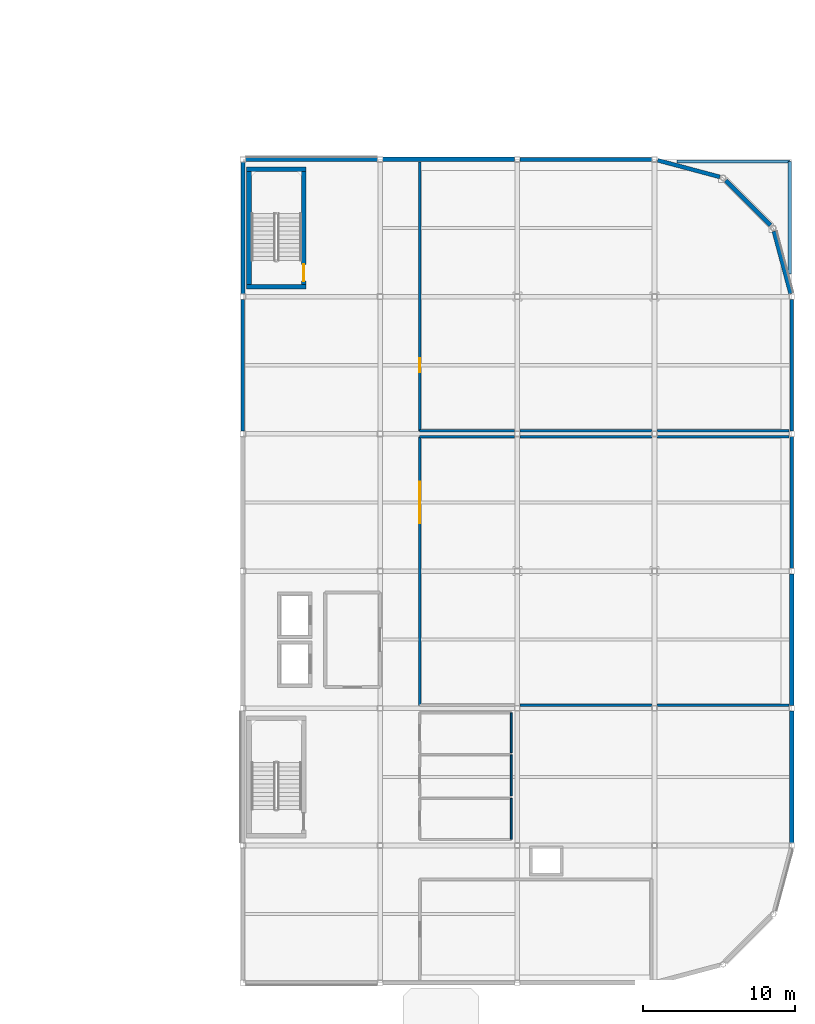
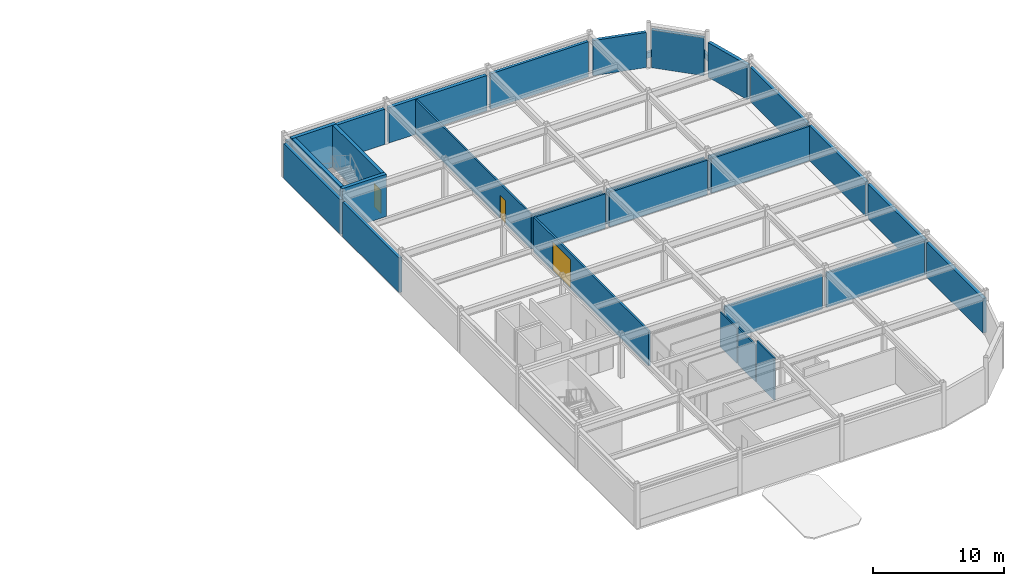
# One storey, part 32 of 40: 31 walls, 3 doors, 3 openings.
"""IFC4 building model written with IfcOpenShell, lengths in metres."""

from ifc_helpers import new_model, si_unit, direction, frame, frame_2d, origin, place, context, subcontext, project, spatial, rectangle, extrude, material, layer, layer_set, type_object, element, fill, save


model = new_model("IFC4")

# Units and contexts
model_context = context("Model", 3, precision=1e-05, world=origin(), true_north=direction((0.0, 1.0)))
body_context = subcontext(model_context, "Body", "Model", "MODEL_VIEW")
ifc_project = project(units=[si_unit("LENGTHUNIT", "METRE"), si_unit("AREAUNIT", "SQUARE_METRE"), si_unit("VOLUMEUNIT", "CUBIC_METRE"), si_unit("PLANEANGLEUNIT", "RADIAN"), si_unit("MASSUNIT", "GRAM", prefix="KILO")], contexts=[model_context])

# Site, building, storey
site_placement = place(None, origin())
site = spatial("IfcSite", under=ifc_project, at=site_placement, CompositionType="ELEMENT")
building_placement = place(site_placement, origin())
building = spatial("IfcBuilding", under=site, at=building_placement, Name="Suzunagisa Mobility Hub", CompositionType="ELEMENT")
storey_placement = place(building_placement, frame((0.0, 0.0, 21.89990234375)))
storey = spatial("IfcBuildingStorey", under=building, at=storey_placement, Name="L05", CompositionType="ELEMENT", Elevation=21.89990234375)

# Walls
ifc_material_1 = material(Name="Porcelain-Faced Insulated Concrete C30/37 Wall", Category="concrete")
ifc_layer_1 = layer(ifc_material_1, 0.260009765625)
ifc_layer_set_1 = layer_set([ifc_layer_1], Name="Porcelain-Faced Insulated Concrete C30/37 Wall")
wall_type_1 = type_object("IfcWallType", Name="Exterior Wall EW-03 260mm", PredefinedType="SOLIDWALL", material=ifc_layer_set_1)
wall_1_placement = place(storey_placement, frame((180.0, 71.175048828125, 0.0), z_axis=(0.0, 0.0, 1.0), x_axis=(0.0, 1.0, 0.0)))
element("IfcWall", 1, at=wall_1_placement, inside=storey, type_object=wall_type_1, Name="L05 Exterior Facade Wall EW-418", PredefinedType="SOLIDWALL", context=body_context, shape_type="SweptSolid", body=[
    extrude(rectangle(XDim=8.64990234375, YDim=0.260009765625, at=frame_2d((4.324951171875, 0.0))), origin(), (0.0, 0.0, 1.0), 3.239990234375),
])
wall_2_placement = place(storey_placement, frame((175.289794921875, 96.8505859375, 0.0), z_axis=(0.0, 0.0, 1.0), x_axis=(-0.965924589415, 0.258823661135, 0.0)))
element("IfcWall", 2, at=wall_2_placement, inside=storey, type_object=wall_type_1, Name="L05 Exterior Facade Wall EW-422", PredefinedType="SOLIDWALL", context=body_context, shape_type="SweptSolid", body=[
    extrude(rectangle(XDim=4.226806640625, YDim=0.260009765625, at=frame_2d((2.11328125, 0.0))), origin(), (0.0, 0.0, 1.0), 3.2900390625),
])
wall_3_placement = place(storey_placement, frame((144.0, 97.824951171875, 0.0), z_axis=(0.0, 0.0, 1.0), x_axis=(0.0, -1.0, 0.0)))
element("IfcWall", 3, at=wall_3_placement, inside=storey, type_object=wall_type_1, Name="L05 Exterior Facade Wall EW-426", PredefinedType="SOLIDWALL", context=body_context, shape_type="SweptSolid", body=[
    extrude(rectangle(XDim=8.64990234375, YDim=0.260009765625, at=frame_2d((4.324951171875, 0.0))), origin(), (0.0, 0.0, 1.0), 3.239990234375),
])
ifc_material_2 = material(Name="Lightweight Insulated Autoclaved Concrete C30/37 Wall", Category="concrete")
ifc_layer_2 = layer(ifc_material_2, 0.239990234375)
ifc_layer_set_2 = layer_set([ifc_layer_2], Name="Lightweight Insulated Autoclaved Concrete C30/37 Wall")
wall_type_2 = type_object("IfcWallType", Name="Exterior Wall EW-04 240mm", PredefinedType="SOLIDWALL", material=ifc_layer_set_2)
wall_4_placement = place(storey_placement, frame((180.0, 80.175048828125, 0.0), z_axis=(0.0, 0.0, 1.0), x_axis=(0.0, 1.0, 0.0)))
element("IfcWall", 4, at=wall_4_placement, inside=storey, type_object=wall_type_2, Name="L05 Exterior Facade Wall EW-419", PredefinedType="SOLIDWALL", context=body_context, shape_type="SweptSolid", body=[
    extrude(rectangle(XDim=8.64990234375, YDim=0.239990234375, at=frame_2d((4.324951171875, 0.0))), origin(), (0.0, 0.0, 1.0), 3.239990234375),
])
wall_5_placement = place(storey_placement, frame((170.824951171875, 98.0, 0.0), z_axis=(0.0, 0.0, 1.0), x_axis=(-1.0, 0.0, 0.0)))
element("IfcWall", 5, at=wall_5_placement, inside=storey, type_object=wall_type_2, Name="L05 Exterior Facade Wall EW-423", PredefinedType="SOLIDWALL", context=body_context, shape_type="SweptSolid", body=[
    extrude(rectangle(XDim=8.64990234375, YDim=0.239990234375, at=frame_2d((4.324951171875, 0.0))), origin(), (0.0, 0.0, 1.0), 3.2900390625),
])
wall_6_placement = place(storey_placement, frame((144.0, 88.824951171875, 0.0), z_axis=(0.0, 0.0, 1.0), x_axis=(0.0, -1.0, 0.0)))
element("IfcWall", 6, at=wall_6_placement, inside=storey, type_object=wall_type_2, Name="L05 Exterior Facade Wall EW-427", PredefinedType="SOLIDWALL", context=body_context, shape_type="SweptSolid", body=[
    extrude(rectangle(XDim=8.64990234375, YDim=0.239990234375, at=frame_2d((4.324951171875, 0.0))), origin(), (0.0, 0.0, 1.0), 3.239990234375),
])
ifc_material_3 = material(Name="Concrete C30/37", Category="concrete")
ifc_layer_3 = layer(ifc_material_3, 0.219970703125)
ifc_layer_set_3 = layer_set([ifc_layer_3], Name="Concrete C30/37")
wall_type_3 = type_object("IfcWallType", Name="Exterior Wall EW-05 220mm", PredefinedType="PARAPET", material=ifc_layer_set_3)
for number, where, z_axis, x_axis, name in (
    (7, (172.48828125, 97.860107421875, 0.0), (0.0, 0.0, 1.0), (1.0, 0.0, 0.0), "L05 Roof Setback Parapet PR-485"),
    (8, (179.860107421875, 97.860107421875, 0.0), (0.0, 0.0, 1.0), (0.0, -1.0, 0.0), "L05 Roof Setback Parapet PR-486"),
):
    element("IfcWall", number, at=place(storey_placement, frame(where, z_axis=z_axis, x_axis=x_axis)), inside=storey, type_object=wall_type_3, Name=name, PredefinedType="PARAPET", context=body_context, shape_type="SweptSolid", body=[
        extrude(rectangle(XDim=7.371826171875, YDim=0.219970703125, at=frame_2d((3.68603515625, 0.0))), origin(), (0.0, 0.0, 1.0), 0.52001953125),
    ])
ifc_layer_4 = layer(ifc_material_1, 0.280029296875)
ifc_layer_set_4 = layer_set([ifc_layer_4], Name="Porcelain-Faced Insulated Concrete C30/37 Wall")
wall_type_4 = type_object("IfcWallType", Name="Exterior Wall EW-08 280mm", PredefinedType="SOLIDWALL", material=ifc_layer_set_4)
wall_7_placement = place(storey_placement, frame((180.0, 62.175048828125, 0.0), z_axis=(0.0, 0.0, 1.0), x_axis=(0.0, 1.0, 0.0)))
element("IfcWall", 9, at=wall_7_placement, inside=storey, type_object=wall_type_4, Name="L05 Exterior Facade Wall EW-417", PredefinedType="SOLIDWALL", context=body_context, shape_type="SweptSolid", body=[
    extrude(rectangle(XDim=8.64990234375, YDim=0.280029296875, at=frame_2d((4.324951171875, 0.0))), origin(), (0.0, 0.0, 1.0), 3.239990234375),
])
wall_8_placement = place(storey_placement, frame((178.616455078125, 93.677734375, 0.0), z_axis=(0.0, 0.0, 1.0), x_axis=(-0.707106781187, 0.707106781187, 0.0)))
element("IfcWall", 10, at=wall_8_placement, inside=storey, type_object=wall_type_4, Name="L05 Exterior Facade Wall EW-421", PredefinedType="SOLIDWALL", context=body_context, shape_type="SweptSolid", body=[
    extrude(rectangle(XDim=4.156005859375, YDim=0.280029296875, at=frame_2d((2.078125, 0.0))), origin(), (0.0, 0.0, 1.0), 3.5400390625),
])
wall_9_placement = place(storey_placement, frame((152.824951171875, 98.0, 0.0), z_axis=(0.0, 0.0, 1.0), x_axis=(-1.0, 0.0, 0.0)))
element("IfcWall", 11, at=wall_9_placement, inside=storey, type_object=wall_type_4, Name="L05 Exterior Facade Wall EW-425", PredefinedType="SOLIDWALL", context=body_context, shape_type="SweptSolid", body=[
    extrude(rectangle(XDim=8.64990234375, YDim=0.280029296875, at=frame_2d((4.324951171875, 0.0))), origin(), (0.0, 0.0, 1.0), 3.2900390625),
])
ifc_material_4 = material(Name="Insulated Precast Concrete C35/45 Panel", Category="concrete")
ifc_layer_5 = layer(ifc_material_4, 0.300048828125)
ifc_layer_set_5 = layer_set([ifc_layer_5], Name="Insulated Precast Concrete C35/45 Panel")
wall_type_5 = type_object("IfcWallType", Name="Exterior Wall EW-09 300mm", PredefinedType="SOLIDWALL", material=ifc_layer_set_5)
wall_10_placement = place(storey_placement, frame((180.0, 53.175048828125, 0.0), z_axis=(0.0, 0.0, 1.0), x_axis=(0.0, 1.0, 0.0)))
element("IfcWall", 12, at=wall_10_placement, inside=storey, type_object=wall_type_5, Name="L05 Exterior Facade Wall EW-416", PredefinedType="SOLIDWALL", context=body_context, shape_type="SweptSolid", body=[
    extrude(rectangle(XDim=8.64990234375, YDim=0.300048828125, at=frame_2d((4.324951171875, 0.0))), origin(), (0.0, 0.0, 1.0), 3.239990234375),
])
wall_11_placement = place(storey_placement, frame((179.944580078125, 89.20703125, 0.0), z_axis=(0.0, 0.0, 1.0), x_axis=(-0.258823661135, 0.965924589415, 0.0)))
element("IfcWall", 13, at=wall_11_placement, inside=storey, type_object=wall_type_5, Name="L05 Exterior Facade Wall EW-420", PredefinedType="SOLIDWALL", context=body_context, shape_type="SweptSolid", body=[
    extrude(rectangle(XDim=4.226806640625, YDim=0.300048828125, at=frame_2d((2.11328125, 0.0))), origin(), (0.0, 0.0, 1.0), 3.239990234375),
])
wall_12_placement = place(storey_placement, frame((161.824951171875, 98.0, 0.0), z_axis=(0.0, 0.0, 1.0), x_axis=(-1.0, 0.0, 0.0)))
element("IfcWall", 14, at=wall_12_placement, inside=storey, type_object=wall_type_5, Name="L05 Exterior Facade Wall EW-424", PredefinedType="SOLIDWALL", context=body_context, shape_type="SweptSolid", body=[
    extrude(rectangle(XDim=8.64990234375, YDim=0.300048828125, at=frame_2d((4.324951171875, 0.0))), origin(), (0.0, 0.0, 1.0), 3.2900390625),
])
ifc_material_5 = material(Name="Concrete C35/45", Category="concrete")
ifc_layer_6 = layer(ifc_material_5, 0.31005859375)
ifc_layer_set_6 = layer_set([ifc_layer_6], Name="Concrete C35/45")
wall_type_6 = type_object("IfcWallType", Name="Interior Wall IW-01 310mm", PredefinedType="SHEAR", material=ifc_layer_set_6)
for number, where, z_axis, x_axis, name in (
    (15, (144.25, 89.64501953125, 0.0), (0.0, 0.0, 1.0), (1.0, 0.0, 0.0), "L05 Core C5B Shear Wall SW-485"),
    (16, (144.25, 97.35498046875, 0.0), (0.0, 0.0, 1.0), (1.0, 0.0, 0.0), "L05 Core C5B Shear Wall SW-486"),
):
    element("IfcWall", number, at=place(storey_placement, frame(where, z_axis=z_axis, x_axis=x_axis)), inside=storey, type_object=wall_type_6, Name=name, PredefinedType="SHEAR", context=body_context, shape_type="SweptSolid", body=[
        extrude(rectangle(XDim=3.89990234375, YDim=0.31005859375, at=frame_2d((1.949951171875, 0.0))), origin(), (0.0, 0.0, 1.0), 3.940185546875),
    ])
wall_13_placement = place(storey_placement, frame((144.405029296875, 89.800048828125, 0.0), z_axis=(0.0, 0.0, 1.0), x_axis=(0.0, 1.0, 0.0)))
element("IfcWall", 17, at=wall_13_placement, inside=storey, type_object=wall_type_6, Name="L05 Core C5B Shear Wall SW-487", PredefinedType="SHEAR", context=body_context, shape_type="SweptSolid", body=[
    extrude(rectangle(XDim=7.39990234375, YDim=0.31005859375, at=frame_2d((3.699951171875, 0.0))), origin(), (0.0, 0.0, 1.0), 3.940185546875),
])

# Wall, opening, door
wall_14_placement = place(storey_placement, frame((147.9951171875, 89.800048828125, 0.0), z_axis=(0.0, 0.0, 1.0), x_axis=(0.0, 1.0, 0.0)))
wall_14 = element("IfcWall", 18, at=wall_14_placement, inside=storey, type_object=wall_type_6, Name="L05 Core C5B Shear Wall SW-488", PredefinedType="SHEAR", context=body_context, shape_type="SweptSolid", body=[
    extrude(rectangle(XDim=7.39990234375, YDim=0.31005859375, at=frame_2d((3.699951171875, 0.0))), origin(), (0.0, 0.0, 1.0), 3.940185546875),
])
opening_1_placement = place(wall_14_placement, frame((0.219970703125, 0.0, 0.0)))
opening_1 = element("IfcOpeningElement", 19, at=opening_1_placement, cuts=wall_14, Name="Opening DR-05", PredefinedType="OPENING", context=body_context, shape_type="SweptSolid", body=[
    extrude(rectangle(XDim=1.10009765625, YDim=2.14990234375, at=frame_2d((0.550048828125, 1.074951171875))), frame((0.0, 0.166015625, 0.0), z_axis=(0.0, -1.0, 0.0), x_axis=(1.0, 0.0, 0.0)), (0.0, 0.0, 1.0), 0.33203125),
])
ifc_material_6 = material(Name="Fire-Rated Hollow Steel Stair Door", Category="steel")
door_type_1 = type_object("IfcDoorType", Name="Interior Door DR-05 1100x2150", OperationType="SINGLE_SWING_LEFT", PredefinedType="DOOR", material=ifc_material_6)
door_1_placement = place(opening_1_placement, origin())
door_1 = element("IfcDoor", 20, at=door_1_placement, inside=storey, type_object=door_type_1, Name="L05 Core C5B Escape Stair Fire Door SD-119", OperationType="SINGLE_SWING_RIGHT", OverallHeight=2.14990234375, OverallWidth=1.10009765625, PredefinedType="DOOR", context=body_context, shape_type="SweptSolid", body=[
    extrude(rectangle(XDim=1.10009765625, YDim=2.14990234375, at=frame_2d((0.550048828125, 1.074951171875))), frame((0.0, 0.02490234375, 0.0), z_axis=(0.0, -1.0, 0.0), x_axis=(1.0, 0.0, 0.0)), (0.0, 0.0, 1.0), 0.050048828125),
])
fill(opening_1, door_1)

# Walls
ifc_material_7 = material(Name="Moisture-Resistant Gypsum Partition", Category="gypsum")
ifc_layer_7 = layer(ifc_material_7, 0.1201171875)
ifc_layer_set_7 = layer_set([ifc_layer_7], Name="Moisture-Resistant Gypsum Partition")
wall_type_7 = type_object("IfcWallType", Name="Interior Wall IW-02 120mm", PredefinedType="PARTITIONING", material=ifc_layer_set_7)
wall_15_placement = place(storey_placement, frame((161.60009765625, 53.39990234375, 0.0), z_axis=(0.0, 0.0, 1.0), x_axis=(0.0, 1.0, 0.0)))
element("IfcWall", 21, at=wall_15_placement, inside=storey, type_object=wall_type_7, Name="L05 Male Restroom WC L05 Partition PW-628", PredefinedType="PARTITIONING", context=body_context, shape_type="SweptSolid", body=[
    extrude(rectangle(XDim=2.7001953125, YDim=0.1201171875, at=frame_2d((1.35009765625, 0.0))), origin(), (0.0, 0.0, 1.0), 3.940185546875),
])
wall_16_placement = place(storey_placement, frame((161.60009765625, 56.25, 0.0), z_axis=(0.0, 0.0, 1.0), x_axis=(0.0, 1.0, 0.0)))
element("IfcWall", 22, at=wall_16_placement, inside=storey, type_object=wall_type_7, Name="L05 Female Restroom WC L05 Partition PW-631", PredefinedType="PARTITIONING", context=body_context, shape_type="SweptSolid", body=[
    extrude(rectangle(XDim=2.699951171875, YDim=0.1201171875, at=frame_2d((1.35009765625, 0.0))), origin(), (0.0, 0.0, 1.0), 3.440185546875),
])
wall_17_placement = place(storey_placement, frame((161.60009765625, 59.10009765625, 0.0), z_axis=(0.0, 0.0, 1.0), x_axis=(0.0, 1.0, 0.0)))
element("IfcWall", 23, at=wall_17_placement, inside=storey, type_object=wall_type_7, Name="L05 Accessible Restroom WC L05 Partition PW-634", PredefinedType="PARTITIONING", context=body_context, shape_type="SweptSolid", body=[
    extrude(rectangle(XDim=2.599853515625, YDim=0.1201171875, at=frame_2d((1.2998046875, 0.0))), origin(), (0.0, 0.0, 1.0), 3.239990234375),
])
ifc_material_8 = material(Name="Fire-Rated Gypsum Stud Partition", Category="gypsum")
ifc_layer_8 = layer(ifc_material_8, 0.169921875)
ifc_layer_set_8 = layer_set([ifc_layer_8], Name="Fire-Rated Gypsum Stud Partition")
wall_type_8 = type_object("IfcWallType", Name="Interior Wall IW-05 170mm", PredefinedType="PARTITIONING", material=ifc_layer_set_8)
wall_18_placement = place(storey_placement, frame((162.175048828125, 62.199951171875, 0.0), z_axis=(0.0, 0.0, 1.0), x_axis=(1.0, 0.0, 0.0)))
element("IfcWall", 24, at=wall_18_placement, inside=storey, type_object=wall_type_8, Name="L05 Sports Club Pavilion Lounge and Reception Hall Partition PW-884", PredefinedType="PARTITIONING", context=body_context, shape_type="SweptSolid", body=[
    extrude(rectangle(XDim=8.64990234375, YDim=0.169921875, at=frame_2d((4.324951171875, 0.0))), origin(), (0.0, 0.0, 1.0), 3.239990234375),
])
wall_19_placement = place(storey_placement, frame((171.175048828125, 62.199951171875, 0.0), z_axis=(0.0, 0.0, 1.0), x_axis=(1.0, 0.0, 0.0)))
element("IfcWall", 25, at=wall_19_placement, inside=storey, type_object=wall_type_8, Name="L05 Sports Club Pavilion Lounge and Reception Hall Partition PW-885", PredefinedType="PARTITIONING", context=body_context, shape_type="SweptSolid", body=[
    extrude(rectangle(XDim=8.659912109375, YDim=0.169921875, at=frame_2d((4.330078125, 0.0))), origin(), (0.0, 0.0, 1.0), 3.239990234375),
])
wall_20_placement = place(storey_placement, frame((155.60009765625, 79.800048828125, 0.0), z_axis=(0.0, 0.0, 1.0), x_axis=(1.0, 0.0, 0.0)))
element("IfcWall", 26, at=wall_20_placement, inside=storey, type_object=wall_type_8, Name="L05 Sports Club Pavilion Lounge and Reception Hall Partition PW-886", PredefinedType="PARTITIONING", context=body_context, shape_type="SweptSolid", body=[
    extrude(rectangle(XDim=6.224853515625, YDim=0.169921875, at=frame_2d((3.1123046875, 0.0))), origin(), (0.0, 0.0, 1.0), 3.239990234375),
])
wall_21_placement = place(storey_placement, frame((162.175048828125, 79.800048828125, 0.0), z_axis=(0.0, 0.0, 1.0), x_axis=(1.0, 0.0, 0.0)))
element("IfcWall", 27, at=wall_21_placement, inside=storey, type_object=wall_type_8, Name="L05 Sports Club Pavilion Lounge and Reception Hall Partition PW-887", PredefinedType="PARTITIONING", context=body_context, shape_type="SweptSolid", body=[
    extrude(rectangle(XDim=8.64990234375, YDim=0.169921875, at=frame_2d((4.324951171875, 0.0))), origin(), (0.0, 0.0, 1.0), 3.239990234375),
])
wall_22_placement = place(storey_placement, frame((171.175048828125, 79.800048828125, 0.0), z_axis=(0.0, 0.0, 1.0), x_axis=(1.0, 0.0, 0.0)))
element("IfcWall", 28, at=wall_22_placement, inside=storey, type_object=wall_type_8, Name="L05 Sports Club Pavilion Lounge and Reception Hall Partition PW-888", PredefinedType="PARTITIONING", context=body_context, shape_type="SweptSolid", body=[
    extrude(rectangle(XDim=8.659912109375, YDim=0.169921875, at=frame_2d((4.330078125, 0.0))), origin(), (0.0, 0.0, 1.0), 3.239990234375),
])

# Wall, opening, door
wall_23_placement = place(storey_placement, frame((155.60009765625, 62.199951171875, 0.0), z_axis=(0.0, 0.0, 1.0), x_axis=(0.0, 1.0, 0.0)))
wall_23 = element("IfcWall", 29, at=wall_23_placement, inside=storey, type_object=wall_type_8, Name="L05 Sports Club Pavilion Lounge and Reception Hall Partition PW-889", PredefinedType="PARTITIONING", context=body_context, shape_type="SweptSolid", body=[
    extrude(rectangle(XDim=17.60009765625, YDim=0.169921875, at=frame_2d((8.800048828125, 0.0))), origin(), (0.0, 0.0, 1.0), 3.239990234375),
])
opening_2_placement = place(wall_23_placement, frame((11.925048828125, 0.0, 0.0)))
opening_2 = element("IfcOpeningElement", 30, at=opening_2_placement, cuts=wall_23, Name="Opening DR-28", PredefinedType="OPENING", context=body_context, shape_type="SweptSolid", body=[
    extrude(rectangle(XDim=2.75, YDim=2.699951171875, at=frame_2d((1.375, 1.35009765625))), frame((0.0, 0.095947265625, 0.0), z_axis=(0.0, -1.0, 0.0), x_axis=(1.0, 0.0, 0.0)), (0.0, 0.0, 1.0), 0.19189453125),
])
ifc_material_9 = material(Name="Wide Equipment Store Double Steel Door", Category="steel")
door_type_2 = type_object("IfcDoorType", Name="Interior Door DR-28 2750x2700", OperationType="SINGLE_SWING_LEFT", PredefinedType="DOOR", material=ifc_material_9)
door_2_placement = place(opening_2_placement, origin())
door_2 = element("IfcDoor", 31, at=door_2_placement, inside=storey, type_object=door_type_2, Name="L05 Sports Club Pavilion Lounge and Reception Hall Door DR-220", OperationType="SINGLE_SWING_LEFT", OverallHeight=2.699951171875, OverallWidth=2.75, PredefinedType="DOOR", context=body_context, shape_type="SweptSolid", body=[
    extrude(rectangle(XDim=2.75, YDim=2.699951171875, at=frame_2d((1.375, 1.35009765625))), frame((0.0, 0.02490234375, 0.0), z_axis=(0.0, -1.0, 0.0), x_axis=(1.0, 0.0, 0.0)), (0.0, 0.0, 1.0), 0.050048828125),
])
fill(opening_2, door_2)

# Walls
ifc_material_10 = material(Name="Acoustic Steel-Stud Gypsum Partition", Category="steel")
ifc_layer_9 = layer(ifc_material_10, 0.14501953125)
ifc_layer_set_9 = layer_set([ifc_layer_9], Name="Acoustic Steel-Stud Gypsum Partition")
wall_type_9 = type_object("IfcWallType", Name="Interior Wall IW-06 145mm", PredefinedType="PARTITIONING", material=ifc_layer_set_9)
wall_24_placement = place(storey_placement, frame((155.60009765625, 80.199951171875, 0.0), z_axis=(0.0, 0.0, 1.0), x_axis=(1.0, 0.0, 0.0)))
element("IfcWall", 32, at=wall_24_placement, inside=storey, type_object=wall_type_9, Name="L05 Cardio and Strength Conditioning Fitness Hall Partition PW-890", PredefinedType="PARTITIONING", context=body_context, shape_type="SweptSolid", body=[
    extrude(rectangle(XDim=6.224853515625, YDim=0.14501953125, at=frame_2d((3.1123046875, 0.0))), origin(), (0.0, 0.0, 1.0), 3.239990234375),
])
wall_25_placement = place(storey_placement, frame((162.175048828125, 80.199951171875, 0.0), z_axis=(0.0, 0.0, 1.0), x_axis=(1.0, 0.0, 0.0)))
element("IfcWall", 33, at=wall_25_placement, inside=storey, type_object=wall_type_9, Name="L05 Cardio and Strength Conditioning Fitness Hall Partition PW-891", PredefinedType="PARTITIONING", context=body_context, shape_type="SweptSolid", body=[
    extrude(rectangle(XDim=8.64990234375, YDim=0.14501953125, at=frame_2d((4.324951171875, 0.0))), origin(), (0.0, 0.0, 1.0), 3.239990234375),
])
wall_26_placement = place(storey_placement, frame((171.175048828125, 80.199951171875, 0.0), z_axis=(0.0, 0.0, 1.0), x_axis=(1.0, 0.0, 0.0)))
element("IfcWall", 34, at=wall_26_placement, inside=storey, type_object=wall_type_9, Name="L05 Cardio and Strength Conditioning Fitness Hall Partition PW-892", PredefinedType="PARTITIONING", context=body_context, shape_type="SweptSolid", body=[
    extrude(rectangle(XDim=8.659912109375, YDim=0.14501953125, at=frame_2d((4.330078125, 0.0))), origin(), (0.0, 0.0, 1.0), 3.239990234375),
])

# Wall, opening, door
wall_27_placement = place(storey_placement, frame((155.60009765625, 80.199951171875, 0.0), z_axis=(0.0, 0.0, 1.0), x_axis=(0.0, 1.0, 0.0)))
wall_27 = element("IfcWall", 35, at=wall_27_placement, inside=storey, type_object=wall_type_9, Name="L05 Cardio and Strength Conditioning Fitness Hall Partition PW-893", PredefinedType="PARTITIONING", context=body_context, shape_type="SweptSolid", body=[
    extrude(rectangle(XDim=17.635009765625, YDim=0.14501953125, at=frame_2d((8.8173828125, 0.0))), origin(), (0.0, 0.0, 1.0), 3.239990234375),
])
opening_3_placement = place(wall_27_placement, frame((3.85009765625, 0.0, 0.0)))
opening_3 = element("IfcOpeningElement", 36, at=opening_3_placement, cuts=wall_27, Name="Opening DR-27", PredefinedType="OPENING", context=body_context, shape_type="SweptSolid", body=[
    extrude(rectangle(XDim=0.89990234375, YDim=2.14990234375, at=frame_2d((0.449951171875, 1.074951171875))), frame((0.0, 0.08349609375, 0.0), z_axis=(0.0, -1.0, 0.0), x_axis=(1.0, 0.0, 0.0)), (0.0, 0.0, 1.0), 0.1669921875),
])
ifc_material_11 = material(Name="Anodized Aluminum Framed Acoustic Door", Category="aluminium")
door_type_3 = type_object("IfcDoorType", Name="Interior Door DR-27 900x2150", OperationType="SINGLE_SWING_LEFT", PredefinedType="DOOR", material=ifc_material_11)
door_3_placement = place(opening_3_placement, origin())
door_3 = element("IfcDoor", 37, at=door_3_placement, inside=storey, type_object=door_type_3, Name="L05 Cardio and Strength Conditioning Fitness Hall Door DR-221", OperationType="SINGLE_SWING_RIGHT", OverallHeight=2.14990234375, OverallWidth=0.89990234375, PredefinedType="DOOR", context=body_context, shape_type="SweptSolid", body=[
    extrude(rectangle(XDim=0.89990234375, YDim=2.14990234375, at=frame_2d((0.449951171875, 1.074951171875))), frame((0.0, 0.02490234375, 0.0), z_axis=(0.0, -1.0, 0.0), x_axis=(1.0, 0.0, 0.0)), (0.0, 0.0, 1.0), 0.050048828125),
])
fill(opening_3, door_3)

save(model, "model.ifc")
